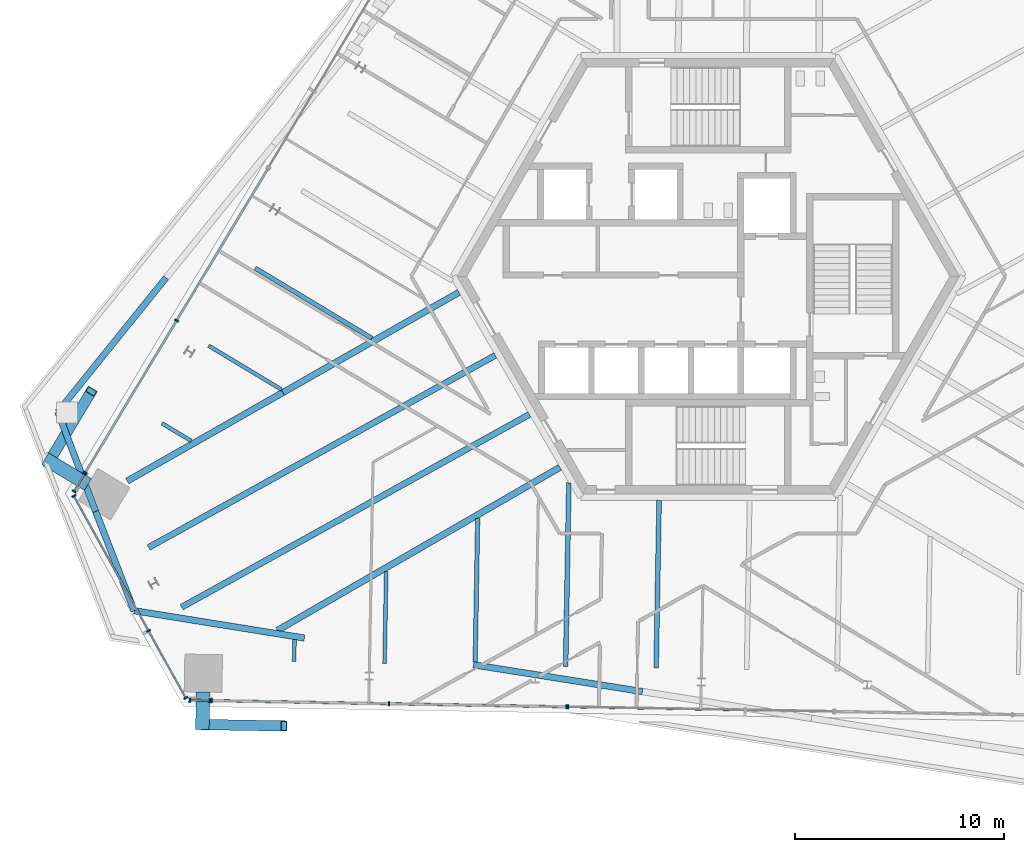
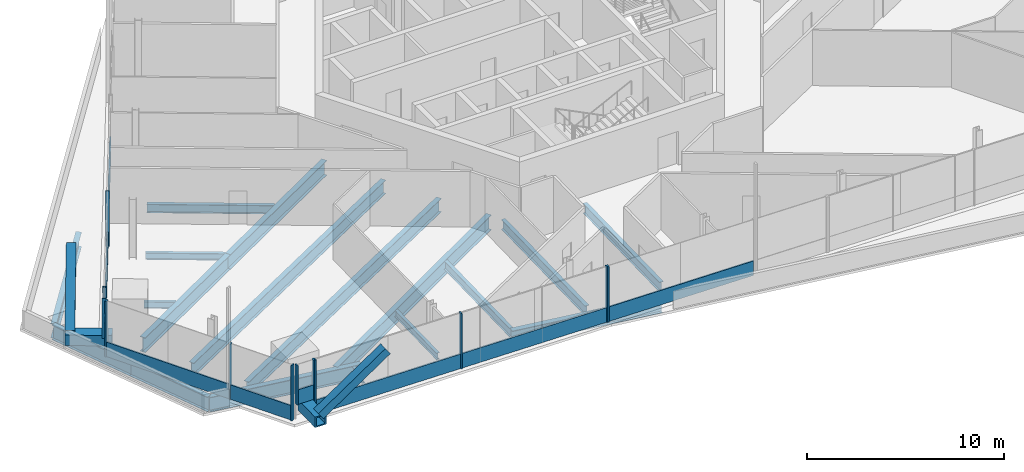
# One storey, part 4 of 22: 26 members, 18 beams, 6 elements without a shape of their own.
"""IFC4 building model written with IfcOpenShell, lengths in metres."""

from ifc_helpers import new_model, si_unit, direction, frame, origin, origin_2d, place, context, subcontext, project, spatial, rectangle, hollow_rectangle, i_section, extrude, source, transform, mapped, material, material_profile, profile_set, type_object, element, aggregate, save


model = new_model("IFC4")

# Units and contexts
model_context = context("Model", 3, precision=1e-05, world=origin(), true_north=direction((0.0, 1.0)))
body_context = subcontext(model_context, "Body", "Model", "MODEL_VIEW")
ifc_project = project(units=[si_unit("LENGTHUNIT", "METRE"), si_unit("AREAUNIT", "SQUARE_METRE"), si_unit("VOLUMEUNIT", "CUBIC_METRE"), si_unit("PLANEANGLEUNIT", "RADIAN"), si_unit("MASSUNIT", "GRAM", prefix="KILO")], contexts=[model_context])

# Site, building, storey
site_placement = place(None, origin())
site = spatial("IfcSite", under=ifc_project, at=site_placement, CompositionType="ELEMENT")
building_placement = place(site_placement, origin())
building = spatial("IfcBuilding", under=site, at=building_placement, Name="Triune Harvest Tower", CompositionType="ELEMENT")
storey_placement = place(building_placement, frame((0.0, 0.0, 179.89990234375)))
storey = spatial("IfcBuildingStorey", under=building, at=storey_placement, Name="L46", CompositionType="ELEMENT", Elevation=179.89990234375)

# Beams
ifc_material_1 = material(Name="Steel ASTM A992 Gr 50", Category="steel")
ifc_material_profile_1 = material_profile(ifc_material_1, i_section(OverallWidth=0.307373046875, OverallDepth=0.922119140625, WebThickness=0.018310546875, FlangeThickness=0.030029296875, at=origin_2d()), Name="W36x182")
ifc_profile_set_1 = profile_set([ifc_material_profile_1], Name="Steel ASTM A992 Gr 50")
beam_type_1 = type_object("IfcBeamType", Name="HG-2 Hip girder W36x182", PredefinedType="BEAM", material=ifc_profile_set_1)
beam_1_placement = place(storey_placement, frame((-27.748291015625, -9.776123046875, -0.620849609375), z_axis=(0.869274480898, 0.49432972484, 0.0), x_axis=(-0.49432972484, 0.869274480898, 0.0)))
element("IfcBeam", 1, at=beam_1_placement, inside=storey, type_object=beam_type_1, Name="beam/L46/HG5", PredefinedType="BEAM", context=body_context, shape_type="SweptSolid", body=[
    extrude(i_section(OverallWidth=0.307373046875, OverallDepth=0.922119140625, WebThickness=0.018310546875, FlangeThickness=0.030029296875, at=origin_2d()), origin(), (0.0, 0.0, 1.0), 8.550048828125),
])
beam_2_placement = place(storey_placement, frame((-20.580810546875, -16.915771484375, -0.620849609375), z_axis=(0.866022013583, 0.500005871955, 0.0), x_axis=(-0.500005871955, 0.866022013583, 0.0)))
element("IfcBeam", 2, at=beam_2_placement, inside=storey, type_object=beam_type_1, Name="beam/L46/HG7", PredefinedType="BEAM", context=body_context, shape_type="SweptSolid", body=[
    extrude(i_section(OverallWidth=0.307373046875, OverallDepth=0.922119140625, WebThickness=0.018310546875, FlangeThickness=0.030029296875, at=origin_2d()), origin(), (0.0, 0.0, 1.0), 15.584228515625),
])
ifc_material_2 = material(Name="Steel ASTM A992 Gr 50", Category="steel")
ifc_material_profile_2 = material_profile(ifc_material_2, i_section(OverallWidth=0.180908203125, OverallDepth=0.41650390625, WebThickness=0.010986328125, FlangeThickness=0.01806640625, at=origin_2d()), Name="W16x57")
ifc_profile_set_2 = profile_set([ifc_material_profile_2], Name="Steel ASTM A992 Gr 50")
beam_type_2 = type_object("IfcBeamType", Name="JT-1 Floor joist W16x57", PredefinedType="JOIST", material=ifc_profile_set_2)
beam_3_placement = place(storey_placement, frame((-19.781982421875, -18.407470703125, -0.3681640625), z_axis=(0.017402794614, 0.999848559903, 0.0), x_axis=(-0.999848559903, 0.017402794614, 0.0)))
element("IfcBeam", 3, at=beam_3_placement, inside=storey, type_object=beam_type_2, Name="beam/L46/JT25", PredefinedType="JOIST", context=body_context, shape_type="SweptSolid", body=[
    extrude(i_section(OverallWidth=0.180908203125, OverallDepth=0.41650390625, WebThickness=0.010986328125, FlangeThickness=0.01806640625, at=origin_2d()), origin(), (0.0, 0.0, 1.0), 1.05224609375),
])
ifc_material_3 = material(Name="Steel ASTM A992 Gr 50", Category="steel")
ifc_material_profile_3 = material_profile(ifc_material_3, i_section(OverallWidth=0.2099609375, OverallDepth=0.535888671875, WebThickness=0.010986328125, FlangeThickness=0.017333984375, at=origin_2d()), Name="W21x68")
ifc_profile_set_3 = profile_set([ifc_material_profile_3], Name="Steel ASTM A992 Gr 50")
beam_type_3 = type_object("IfcBeamType", Name="JT-2 Floor joist W21x68", PredefinedType="JOIST", material=ifc_profile_set_3)
beam_4_placement = place(storey_placement, frame((-21.639404296875, 0.39111328125, -0.427978515625), z_axis=(0.85716466507, -0.515042461314, 0.0), x_axis=(0.515042461314, 0.85716466507, 0.0)))
element("IfcBeam", 4, at=beam_4_placement, inside=storey, type_object=beam_type_3, Name="beam/L46/JT20", PredefinedType="JOIST", context=body_context, shape_type="SweptSolid", body=[
    extrude(i_section(OverallWidth=0.2099609375, OverallDepth=0.535888671875, WebThickness=0.010986328125, FlangeThickness=0.017333984375, at=origin_2d()), origin(), (0.0, 0.0, 1.0), 6.500244140625),
])
ifc_material_4 = material(Name="Steel ASTM A992 Gr 50", Category="steel")
ifc_material_profile_4 = material_profile(ifc_material_4, i_section(OverallWidth=0.22900390625, OverallDepth=0.612060546875, WebThickness=0.011962890625, FlangeThickness=0.01953125, at=origin_2d()), Name="W24x84")
ifc_profile_set_4 = profile_set([ifc_material_profile_4], Name="Steel ASTM A992 Gr 50")
beam_type_4 = type_object("IfcBeamType", Name="JT-3 Floor joist W24x84", PredefinedType="JOIST", material=ifc_profile_set_4)
beam_5_placement = place(storey_placement, frame((-6.812255859375, -18.6337890625, -0.466064453125), z_axis=(0.017473330265, 0.999847329711, 0.0), x_axis=(-0.999847329711, 0.017473330265, 0.0)))
element("IfcBeam", 5, at=beam_5_placement, inside=storey, type_object=beam_type_4, Name="beam/L46/JT28", PredefinedType="JOIST", context=body_context, shape_type="SweptSolid", body=[
    extrude(i_section(OverallWidth=0.22900390625, OverallDepth=0.612060546875, WebThickness=0.011962890625, FlangeThickness=0.01953125, at=origin_2d()), origin(), (0.0, 0.0, 1.0), 8.7744140625),
])
beam_6_placement = place(storey_placement, frame((-2.489013671875, -18.70947265625, -0.466064453125), z_axis=(0.017456738048, 0.999847619538, 0.0), x_axis=(-0.999847619538, 0.017456738048, 0.0)))
element("IfcBeam", 6, at=beam_6_placement, inside=storey, type_object=beam_type_4, Name="beam/L46/JT29", PredefinedType="JOIST", context=body_context, shape_type="SweptSolid", body=[
    extrude(i_section(OverallWidth=0.22900390625, OverallDepth=0.612060546875, WebThickness=0.011962890625, FlangeThickness=0.01953125, at=origin_2d()), origin(), (0.0, 0.0, 1.0), 8.013671875),
])
ifc_material_5 = material(Name="Steel ASTM A992 Gr 50", Category="steel")
ifc_material_profile_5 = material_profile(ifc_material_5, i_section(OverallWidth=0.3046875, OverallDepth=0.914306640625, WebThickness=0.0166015625, FlangeThickness=0.02587890625, at=origin_2d()), Name="W36x160")
ifc_profile_set_5 = profile_set([ifc_material_profile_5], Name="Steel ASTM A992 Gr 50")
beam_type_5 = type_object("IfcBeamType", Name="SB-1 Spandrel beam W36x160", PredefinedType="SPANDREL", material=ifc_profile_set_5)
shared_shape_1 = source(origin(), body_context, "Body", "SweptSolid", [
    extrude(i_section(OverallWidth=0.3046875, OverallDepth=0.914306640625, WebThickness=0.0166015625, FlangeThickness=0.02587890625, at=origin_2d()), origin(), (0.0, 0.0, 1.0), 8.235107421875),
])
for number, where, z_axis, x_axis, name in (
    (7, (-25.89599609375, -0.068359375, -0.6171875), (-0.627799387606, -0.778375185191, 0.0), (0.778375185191, -0.627799387606, 0.0), "beam/L46/WB12"),
    (8, (-27.42138671875, -15.972900390625, -0.6171875), (0.987379507505, -0.15837205612, 0.0), (0.15837205612, 0.987379507505, 0.0), "beam/L46/WB15"),
):
    element("IfcBeam", number, at=place(storey_placement, frame(where, z_axis=z_axis, x_axis=x_axis)), inside=storey, type_object=beam_type_5, Name=name, PredefinedType="SPANDREL", context=body_context, shape_type="MappedRepresentation", body=[
        mapped(shared_shape_1, transform((0.0, 0.0, 0.0), scale=1.0)),
    ])
shared_shape_2 = source(origin(), body_context, "Body", "SweptSolid", [
    extrude(i_section(OverallWidth=0.3046875, OverallDepth=0.914306640625, WebThickness=0.0166015625, FlangeThickness=0.02587890625, at=origin_2d()), origin(), (0.0, 0.0, 1.0), 8.1748046875),
])
beam_7_placement = place(storey_placement, frame((-11.2158203125, -18.555908203125, -0.6171875), z_axis=(0.987688756855, -0.156431836853, 0.0), x_axis=(0.156431836853, 0.987688756855, 0.0)))
element("IfcBeam", 9, at=beam_7_placement, inside=storey, type_object=beam_type_5, Name="beam/L46/WB16", PredefinedType="SPANDREL", context=body_context, shape_type="MappedRepresentation", body=[
    mapped(shared_shape_2, transform((0.0, 0.0, 0.0), scale=1.0)),
])
shared_shape_3 = source(origin(), body_context, "Body", "SweptSolid", [
    extrude(i_section(OverallWidth=0.3046875, OverallDepth=0.914306640625, WebThickness=0.0166015625, FlangeThickness=0.02587890625, at=origin_2d()), origin(), (0.0, 0.0, 1.0), 5.085205078125),
])
beam_8_placement = place(storey_placement, frame((-29.258544921875, -11.231201171875, -0.6171875), z_axis=(0.361278281311, -0.932458043803, 0.0), x_axis=(0.932458043803, 0.361278281311, 0.0)))
element("IfcBeam", 10, at=beam_8_placement, inside=storey, type_object=beam_type_5, Name="beam/L46/WB14", PredefinedType="SPANDREL", context=body_context, shape_type="MappedRepresentation", body=[
    mapped(shared_shape_3, transform((0.0, 0.0, 0.0), scale=1.0)),
])
shared_shape_4 = source(origin(), body_context, "Body", "SweptSolid", [
    extrude(i_section(OverallWidth=0.3046875, OverallDepth=0.914306640625, WebThickness=0.0166015625, FlangeThickness=0.02587890625, at=origin_2d()), origin(), (0.0, 0.0, 1.0), 5.0849609375),
])
beam_9_placement = place(storey_placement, frame((-31.06591796875, -6.478271484375, -0.6171875), z_axis=(0.355434233879, -0.934701292064, 0.0), x_axis=(0.934701292064, 0.355434233879, 0.0)))
element("IfcBeam", 11, at=beam_9_placement, inside=storey, type_object=beam_type_5, Name="beam/L46/WB13", PredefinedType="SPANDREL", context=body_context, shape_type="MappedRepresentation", body=[
    mapped(shared_shape_4, transform((0.0, 0.0, 0.0), scale=1.0)),
])
shared_shape_5 = source(origin(), body_context, "Body", "SweptSolid", [
    extrude(i_section(OverallWidth=0.307373046875, OverallDepth=0.922119140625, WebThickness=0.018310546875, FlangeThickness=0.030029296875, at=origin_2d()), origin(), (0.0, 0.0, 1.0), 9.672119140625),
])
beam_10_placement = place(storey_placement, frame((-20.31591796875, -5.549560546875, -0.620849609375), z_axis=(0.869255664029, 0.494362812673, 0.0), x_axis=(-0.494362812673, 0.869255664029, 0.0)))
element("IfcBeam", 12, at=beam_10_placement, inside=storey, type_object=beam_type_1, Name="beam/L46/HG6", PredefinedType="BEAM", context=body_context, shape_type="MappedRepresentation", body=[
    mapped(shared_shape_5, transform((0.0, 0.0, 0.0), scale=1.0)),
])
shared_shape_6 = source(origin(), body_context, "Body", "SweptSolid", [
    extrude(i_section(OverallWidth=0.2099609375, OverallDepth=0.535888671875, WebThickness=0.010986328125, FlangeThickness=0.017333984375, at=origin_2d()), origin(), (0.0, 0.0, 1.0), 6.84619140625),
])
beam_11_placement = place(storey_placement, frame((-11.1328125, -18.41455078125, -0.427978515625), z_axis=(0.017437964411, 0.999847947139, 0.0), x_axis=(-0.999847947139, 0.017437964411, 0.0)))
element("IfcBeam", 13, at=beam_11_placement, inside=storey, type_object=beam_type_3, Name="beam/L46/JT27", PredefinedType="JOIST", context=body_context, shape_type="MappedRepresentation", body=[
    mapped(shared_shape_6, transform((0.0, 0.0, 0.0), scale=1.0)),
])
shared_shape_7 = source(origin(), body_context, "Body", "SweptSolid", [
    extrude(i_section(OverallWidth=0.180908203125, OverallDepth=0.41650390625, WebThickness=0.010986328125, FlangeThickness=0.01806640625, at=origin_2d()), origin(), (0.0, 0.0, 1.0), 4.066162109375),
])
beam_12_placement = place(storey_placement, frame((-23.8662109375, -3.315185546875, -0.3681640625), z_axis=(0.857137776509, -0.515087208229, 0.0), x_axis=(0.515087208229, 0.857137776509, 0.0)))
element("IfcBeam", 14, at=beam_12_placement, inside=storey, type_object=beam_type_2, Name="beam/L46/JT21", PredefinedType="JOIST", context=body_context, shape_type="MappedRepresentation", body=[
    mapped(shared_shape_7, transform((0.0, 0.0, 0.0), scale=1.0)),
])
shared_shape_8 = source(origin(), body_context, "Body", "SweptSolid", [
    extrude(i_section(OverallWidth=0.180908203125, OverallDepth=0.41650390625, WebThickness=0.010986328125, FlangeThickness=0.01806640625, at=origin_2d()), origin(), (0.0, 0.0, 1.0), 1.63232421875),
])
beam_13_placement = place(storey_placement, frame((-26.09326171875, -7.021484375, -0.3681640625), z_axis=(0.857136412029, -0.515089478804, 0.0), x_axis=(0.515089478804, 0.857136412029, 0.0)))
element("IfcBeam", 15, at=beam_13_placement, inside=storey, type_object=beam_type_2, Name="beam/L46/JT22", PredefinedType="JOIST", context=body_context, shape_type="MappedRepresentation", body=[
    mapped(shared_shape_8, transform((0.0, 0.0, 0.0), scale=1.0)),
])
ifc_material_6 = material(Name="Steel ASTM A992 Gr 50", Category="steel")
ifc_material_profile_6 = material_profile(ifc_material_6, i_section(OverallWidth=0.2919921875, OverallDepth=0.8408203125, WebThickness=0.0146484375, FlangeThickness=0.021728515625, at=origin_2d()), Name="W33x130")
ifc_profile_set_6 = profile_set([ifc_material_profile_6], Name="Steel ASTM A992 Gr 50")
beam_type_6 = type_object("IfcBeamType", Name="JT-6 Floor joist W33x130", PredefinedType="JOIST", material=ifc_profile_set_6)
shared_shape_9 = source(origin(), body_context, "Body", "SweptSolid", [
    extrude(i_section(OverallWidth=0.2919921875, OverallDepth=0.8408203125, WebThickness=0.0146484375, FlangeThickness=0.021728515625, at=origin_2d()), origin(), (0.0, 0.0, 1.0), 18.930908203125),
])
beam_14_placement = place(storey_placement, frame((-26.7294921875, -12.953369140625, -0.580322265625), z_axis=(0.874617987664, 0.48481272225, 0.0), x_axis=(-0.48481272225, 0.874617987664, 0.0)))
element("IfcBeam", 16, at=beam_14_placement, inside=storey, type_object=beam_type_6, Name="beam/L46/JT23", PredefinedType="JOIST", context=body_context, shape_type="MappedRepresentation", body=[
    mapped(shared_shape_9, transform((0.0, 0.0, 0.0), scale=1.0)),
])
shared_shape_10 = source(origin(), body_context, "Body", "SweptSolid", [
    extrude(i_section(OverallWidth=0.2919921875, OverallDepth=0.8408203125, WebThickness=0.0146484375, FlangeThickness=0.021728515625, at=origin_2d()), origin(), (0.0, 0.0, 1.0), 18.98779296875),
])
beam_15_placement = place(storey_placement, frame((-25.1494140625, -15.8037109375, -0.580322265625), z_axis=(0.874615401626, 0.484817387517, 0.0), x_axis=(-0.484817387517, 0.874615401626, 0.0)))
element("IfcBeam", 17, at=beam_15_placement, inside=storey, type_object=beam_type_6, Name="beam/L46/JT24", PredefinedType="JOIST", context=body_context, shape_type="MappedRepresentation", body=[
    mapped(shared_shape_10, transform((0.0, 0.0, 0.0), scale=1.0)),
])
shared_shape_11 = source(origin(), body_context, "Body", "SweptSolid", [
    extrude(i_section(OverallWidth=0.180908203125, OverallDepth=0.41650390625, WebThickness=0.010986328125, FlangeThickness=0.01806640625, at=origin_2d()), origin(), (0.0, 0.0, 1.0), 4.391845703125),
])
beam_16_placement = place(storey_placement, frame((-15.458740234375, -18.48291015625, -0.3681640625), z_axis=(0.017455363064, 0.999847643544, 0.0), x_axis=(-0.999847643544, 0.017455363064, 0.0)))
element("IfcBeam", 18, at=beam_16_placement, inside=storey, type_object=beam_type_2, Name="beam/L46/JT26", PredefinedType="JOIST", context=body_context, shape_type="MappedRepresentation", body=[
    mapped(shared_shape_11, transform((0.0, 0.0, 0.0), scale=1.0)),
])

# Members
ifc_material_7 = material(Name="Steel ASTM A572 Gr 50", Category="steel")
ifc_material_profile_7 = material_profile(ifc_material_7, hollow_rectangle(XDim=0.64990234375, YDim=0.64990234375, WallThickness=0.070068359375, at=origin_2d()), Name="Box 650x650x70")
ifc_profile_set_7 = profile_set([ifc_material_profile_7], Name="Steel ASTM A572 Gr 50")
member_type_1 = type_object("IfcMemberType", Name="BS-1 Brace stub Box 650x650x70", PredefinedType="STRUT", material=ifc_profile_set_7)
shared_shape_12 = source(origin(), body_context, "Body", "SweptSolid", [
    extrude(hollow_rectangle(XDim=0.64990234375, YDim=0.64990234375, WallThickness=0.070068359375, at=origin_2d()), origin(), (0.0, 0.0, 1.0), 1.787109375),
])
member_1_placement = place(storey_placement, frame((-24.1318359375, -19.856689453125, 0.60009765625), z_axis=(-0.017486054069, -0.999847107268, 0.0), x_axis=(0.999847107268, -0.017486054069, 0.0)))
element("IfcMember", 19, at=member_1_placement, inside=storey, type_object=member_type_1, Name="brace/B5-F5/stub1", PredefinedType="STRUT", context=body_context, shape_type="MappedRepresentation", body=[
    mapped(shared_shape_12, transform((0.0, 0.0, 0.0), scale=1.0)),
])
ifc_material_8 = material(Name="Steel ASTM A572 Gr 50", Category="steel")
ifc_material_profile_8 = material_profile(ifc_material_8, hollow_rectangle(XDim=0.5, YDim=0.5, WallThickness=0.030029296875, at=origin_2d()), Name="Box 500x500x30")
ifc_profile_set_8 = profile_set([ifc_material_profile_8], Name="Steel ASTM A572 Gr 50")
member_type_2 = type_object("IfcMemberType", Name="BR-3 Brace Box 500x500x30", PredefinedType="BRACE", material=ifc_profile_set_8)
shared_shape_13 = source(origin(), body_context, "Body", "SweptSolid", [
    extrude(hollow_rectangle(XDim=0.5, YDim=0.5, WallThickness=0.030029296875, at=origin_2d()), origin(), (0.0, 0.0, 1.0), 4.74462890625),
])
for number, where, z_axis, x_axis, name in (
    (20, (-31.47216796875, -8.834228515625, 0.89013671875), (0.422758308536, 0.703602374746, 0.571155942642), (-0.857171952851, 0.515030332355, 0.0), "brace/B5-F3/d2/1"),
    (21, (-24.158935546875, -21.40869140625, 0.89013671875), (0.820716318027, -0.014304648051, 0.571156810665), (0.017426820271, 0.999848141437, 0.0), "brace/B5-F5/d1/1"),
):
    element("IfcMember", number, at=place(storey_placement, frame(where, z_axis=z_axis, x_axis=x_axis)), inside=storey, type_object=member_type_2, Name=name, PredefinedType="BRACE", context=body_context, shape_type="MappedRepresentation", body=[
        mapped(shared_shape_13, transform((0.0, 0.0, 0.0), scale=1.0)),
    ])
shared_shape_14 = source(origin(), body_context, "Body", "SweptSolid", [
    extrude(hollow_rectangle(XDim=0.64990234375, YDim=0.64990234375, WallThickness=0.070068359375, at=origin_2d()), origin(), (0.0, 0.0, 1.0), 2.38720703125),
])
member_2_placement = place(storey_placement, frame((-29.62744140625, -9.942626953125, 0.60009765625), z_axis=(-0.857158850431, 0.515052138262, 0.0), x_axis=(-0.515052138262, -0.857158850431, 0.0)))
element("IfcMember", 22, at=member_2_placement, inside=storey, type_object=member_type_1, Name="brace/B5-F3/stub3", PredefinedType="STRUT", context=body_context, shape_type="MappedRepresentation", body=[
    mapped(shared_shape_14, transform((0.0, 0.0, 0.0), scale=1.0)),
])

# Curtain wall, members
ifc_material_9 = material(Name="Aluminium bronze anodised", Category="aluminium")
curtain_wall_type_1 = type_object("IfcCurtainWallType", Name="CW-7 Tower stick curtain wall with insulated spandrel infill", PredefinedType="NOTDEFINED", material=ifc_material_9)
curtain_wall_1_placement = place(storey_placement, origin())
curtain_wall_1 = element("IfcCurtainWall", 23, at=curtain_wall_1_placement, inside=storey, type_object=curtain_wall_type_1, Name="CW-7 B5-F3 L46 run 2101")
ifc_material_10 = material(Name="Aluminium bronze anodised", Category="aluminium")
ifc_material_profile_9 = material_profile(ifc_material_10, rectangle(XDim=0.199951171875, YDim=0.074951171875, at=origin_2d()), Name="MU-1 mullion 75 x 200")
ifc_profile_set_9 = profile_set([ifc_material_profile_9], Name="Aluminium bronze anodised")
member_type_3 = type_object("IfcMemberType", Name="MU-1 mullion 75 x 200", PredefinedType="MULLION", material=ifc_profile_set_9)
shared_shape_15 = source(origin(), body_context, "Body", "SweptSolid", [
    extrude(rectangle(XDim=0.199951171875, YDim=0.074951171875, at=origin_2d()), origin(), (0.0, 0.0, 1.0), 3.440185546875),
])
member_3_placement = place(storey_placement, frame((-25.39208984375, -2.11279296875, 0.0), z_axis=(0.0, 0.0, 1.0), x_axis=(0.857169699895, -0.515034081961, 0.0)))
member_3 = element("IfcMember", 24, at=member_3_placement, type_object=member_type_3, Name="CW-7 mullion B5-F3 2101.3", PredefinedType="MULLION", context=body_context, shape_type="MappedRepresentation", body=[
    mapped(shared_shape_15, transform((0.0, 0.0, 0.0), scale=1.0)),
])
member_4_placement = place(storey_placement, frame((-29.754638671875, -9.373291015625, 0.0), z_axis=(0.0, 0.0, 1.0), x_axis=(0.857169699895, -0.515034081961, 0.0)))
member_4 = element("IfcMember", 25, at=member_4_placement, type_object=member_type_3, Name="CW-7 mullion B5-F3 2101.5", PredefinedType="MULLION", context=body_context, shape_type="MappedRepresentation", body=[
    mapped(shared_shape_15, transform((0.0, 0.0, 0.0), scale=1.0)),
])

ifc_material_11 = material(Name="Aluminium bronze anodised", Category="aluminium")
curtain_wall_type_2 = type_object("IfcCurtainWallType", Name="CW-1 Tower stick curtain wall", PredefinedType="NOTDEFINED", material=ifc_material_11)
curtain_wall_2_placement = place(storey_placement, origin())
curtain_wall_2 = element("IfcCurtainWall", 26, at=curtain_wall_2_placement, inside=storey, type_object=curtain_wall_type_2, Name="CW-1 B5-F4 L46 run 1")
member_5_placement = place(storey_placement, frame((-30.297607421875, -10.4912109375, 0.0), z_axis=(0.0, 0.0, 1.0), x_axis=(0.874623958582, 0.484801950362, 0.0)))
member_5 = element("IfcMember", 27, at=member_5_placement, type_object=member_type_3, Name="CW-1 mullion B5-F4 1.1", PredefinedType="MULLION", context=body_context, shape_type="MappedRepresentation", body=[
    mapped(shared_shape_15, transform((0.0, 0.0, 0.0), scale=1.0)),
])
member_6_placement = place(storey_placement, frame((-26.72802734375, -16.930908203125, 0.0), z_axis=(0.0, 0.0, 1.0), x_axis=(0.874623958582, 0.484801950362, 0.0)))
member_6 = element("IfcMember", 28, at=member_6_placement, type_object=member_type_3, Name="CW-1 mullion B5-F4 1.3", PredefinedType="MULLION", context=body_context, shape_type="MappedRepresentation", body=[
    mapped(shared_shape_15, transform((0.0, 0.0, 0.0), scale=1.0)),
])
member_7_placement = place(storey_placement, frame((-24.952392578125, -20.13427734375, 0.0), z_axis=(0.0, 0.0, 1.0), x_axis=(0.874623958582, 0.484801950362, 0.0)))
member_7 = element("IfcMember", 29, at=member_7_placement, type_object=member_type_3, Name="CW-1 mullion B5-F4 1.4", PredefinedType="MULLION", context=body_context, shape_type="MappedRepresentation", body=[
    mapped(shared_shape_15, transform((0.0, 0.0, 0.0), scale=1.0)),
])

curtain_wall_3_placement = place(storey_placement, origin())
curtain_wall_3 = element("IfcCurtainWall", 30, at=curtain_wall_3_placement, inside=storey, type_object=curtain_wall_type_1, Name="CW-7 B5-F5 L46 run 101")
member_8_placement = place(storey_placement, frame((-23.716552734375, -20.266357421875, 0.0), z_axis=(0.0, 0.0, 1.0), x_axis=(0.017454373979, 0.999847660811, 0.0)))
member_8 = element("IfcMember", 31, at=member_8_placement, type_object=member_type_3, Name="CW-7 mullion B5-F5 101.1", PredefinedType="MULLION", context=body_context, shape_type="MappedRepresentation", body=[
    mapped(shared_shape_15, transform((0.0, 0.0, 0.0), scale=1.0)),
])
member_9_placement = place(storey_placement, frame((-15.247314453125, -20.4140625, 0.0), z_axis=(0.0, 0.0, 1.0), x_axis=(0.017454373979, 0.999847660811, 0.0)))
member_9 = element("IfcMember", 32, at=member_9_placement, type_object=member_type_3, Name="CW-7 mullion B5-F5 101.3", PredefinedType="MULLION", context=body_context, shape_type="MappedRepresentation", body=[
    mapped(shared_shape_15, transform((0.0, 0.0, 0.0), scale=1.0)),
])
member_10_placement = place(storey_placement, frame((-6.7783203125, -20.56201171875, 0.0), z_axis=(0.0, 0.0, 1.0), x_axis=(0.017454373979, 0.999847660811, 0.0)))
member_10 = element("IfcMember", 33, at=member_10_placement, type_object=member_type_3, Name="CW-7 mullion B5-F5 101.5", PredefinedType="MULLION", context=body_context, shape_type="MappedRepresentation", body=[
    mapped(shared_shape_15, transform((0.0, 0.0, 0.0), scale=1.0)),
])

# Curtain wall, member
curtain_wall_4_placement = place(storey_placement, origin())
curtain_wall_4 = element("IfcCurtainWall", 34, at=curtain_wall_4_placement, inside=storey, type_object=curtain_wall_type_2, Name="CW-1 B5-F5 L46 run 1101")
member_11_placement = place(storey_placement, frame((-6.703369140625, -20.563232421875, 0.0), z_axis=(0.0, 0.0, 1.0), x_axis=(0.017450593962, 0.999847726792, 0.0)))
member_11 = element("IfcMember", 35, at=member_11_placement, type_object=member_type_3, Name="CW-1 mullion B5-F5 1101.1", PredefinedType="MULLION", context=body_context, shape_type="MappedRepresentation", body=[
    mapped(shared_shape_15, transform((0.0, 0.0, 0.0), scale=1.0)),
])

# Curtain wall, members
curtain_wall_5_placement = place(storey_placement, origin())
curtain_wall_5 = element("IfcCurtainWall", 36, at=curtain_wall_5_placement, inside=storey, type_object=curtain_wall_type_2, Name="CW-1 B5-F3 L46 run 201")
shared_shape_16 = source(origin(), body_context, "Body", "SweptSolid", [
    extrude(rectangle(XDim=0.199951171875, YDim=0.074951171875, at=origin_2d()), origin(), (0.0, 0.0, 1.0), 2.455078125),
])
member_12_placement = place(storey_placement, frame((-29.793212890625, -9.437744140625, 0.985107421875), z_axis=(0.0, 0.0, 1.0), x_axis=(0.857206165529, -0.514973387448, 0.0)))
member_12 = element("IfcMember", 37, at=member_12_placement, type_object=member_type_3, Name="CW-1 mullion B5-F3 201.1", PredefinedType="MULLION", context=body_context, shape_type="MappedRepresentation", body=[
    mapped(shared_shape_16, transform((0.0, 0.0, 0.0), scale=1.0)),
])
member_13_placement = place(storey_placement, frame((-30.293701171875, -10.2705078125, 0.985107421875), z_axis=(0.0, 0.0, 1.0), x_axis=(0.857206165529, -0.514973387448, 0.0)))
member_13 = element("IfcMember", 38, at=member_13_placement, type_object=member_type_3, Name="CW-1 mullion B5-F3 201.2", PredefinedType="MULLION", context=body_context, shape_type="MappedRepresentation", body=[
    mapped(shared_shape_16, transform((0.0, 0.0, 0.0), scale=1.0)),
])

curtain_wall_6_placement = place(storey_placement, origin())
curtain_wall_6 = element("IfcCurtainWall", 39, at=curtain_wall_6_placement, inside=storey, type_object=curtain_wall_type_2, Name="CW-1 B5-F5 L46 run 1")
member_14_placement = place(storey_placement, frame((-24.76318359375, -20.248046875, 0.985107421875), z_axis=(0.0, 0.0, 1.0), x_axis=(0.017387013935, 0.999848834448, 0.0)))
member_14 = element("IfcMember", 40, at=member_14_placement, type_object=member_type_3, Name="CW-1 mullion B5-F5 1.1", PredefinedType="MULLION", context=body_context, shape_type="MappedRepresentation", body=[
    mapped(shared_shape_16, transform((0.0, 0.0, 0.0), scale=1.0)),
])
member_15_placement = place(storey_placement, frame((-23.79150390625, -20.264892578125, 0.985107421875), z_axis=(0.0, 0.0, 1.0), x_axis=(0.017387013935, 0.999848834448, 0.0)))
member_15 = element("IfcMember", 41, at=member_15_placement, type_object=member_type_3, Name="CW-1 mullion B5-F5 1.2", PredefinedType="MULLION", context=body_context, shape_type="MappedRepresentation", body=[
    mapped(shared_shape_16, transform((0.0, 0.0, 0.0), scale=1.0)),
])

# Member
ifc_material_12 = material(Name="Aluminium bronze anodised", Category="aluminium")
ifc_material_profile_10 = material_profile(ifc_material_12, rectangle(XDim=0.090087890625, YDim=0.89990234375, at=origin_2d()), Name="TR-1 transom 90 x 900")
ifc_profile_set_10 = profile_set([ifc_material_profile_10], Name="Aluminium bronze anodised")
member_type_4 = type_object("IfcMemberType", Name="TR-1 transom 90 x 900", PredefinedType="USERDEFINED", material=ifc_profile_set_10)
shared_shape_17 = source(origin(), body_context, "Body", "SweptSolid", [
    extrude(rectangle(XDim=0.090087890625, YDim=0.89990234375, at=origin_2d()), origin(), (0.0, 0.0, 1.0), 8.395263671875),
])
member_16_placement = place(storey_placement, frame((-23.678955078125, -20.266845703125, 0.4501953125), z_axis=(0.999847766212, -0.017448335167, 0.0), x_axis=(0.017448335167, 0.999847766212, 0.0)))
member_16 = element("IfcMember", 42, at=member_16_placement, type_object=member_type_4, Name="CW-7 transom B5-F5 101.1", ObjectType="TRANSOM", PredefinedType="USERDEFINED", context=body_context, shape_type="MappedRepresentation", body=[
    mapped(shared_shape_17, transform((0.0, 0.0, 0.0), scale=1.0)),
])

member_17_placement = place(storey_placement, frame((-6.665771484375, -20.56396484375, 0.4501953125), z_axis=(0.999847766212, -0.017448335167, 0.0), x_axis=(0.017448335167, 0.999847766212, 0.0)))
member_17 = element("IfcMember", 43, at=member_17_placement, type_object=member_type_4, Name="CW-1 transom B5-F5 1101.1", ObjectType="TRANSOM", PredefinedType="USERDEFINED", context=body_context, shape_type="MappedRepresentation", body=[
    mapped(shared_shape_17, transform((0.0, 0.0, 0.0), scale=1.0)),
])

aggregate(curtain_wall_4, [member_11, member_17])

shared_shape_18 = source(origin(), body_context, "Body", "SweptSolid", [
    extrude(rectangle(XDim=0.090087890625, YDim=0.89990234375, at=origin_2d()), origin(), (0.0, 0.0, 1.0), 8.3955078125),
])
member_18_placement = place(storey_placement, frame((-21.048828125, 5.11572265625, 0.4501953125), z_axis=(-0.515038767038, -0.857166884829, 0.0), x_axis=(0.857166884829, -0.515038767038, 0.0)))
member_18 = element("IfcMember", 44, at=member_18_placement, type_object=member_type_4, Name="CW-7 transom B5-F3 2101.1", ObjectType="TRANSOM", PredefinedType="USERDEFINED", context=body_context, shape_type="MappedRepresentation", body=[
    mapped(shared_shape_18, transform((0.0, 0.0, 0.0), scale=1.0)),
])

member_19_placement = place(storey_placement, frame((-25.411376953125, -2.14501953125, 0.4501953125), z_axis=(-0.515038767038, -0.857166884829, 0.0), x_axis=(0.857166884829, -0.515038767038, 0.0)))
member_19 = element("IfcMember", 45, at=member_19_placement, type_object=member_type_4, Name="CW-7 transom B5-F3 2101.2", ObjectType="TRANSOM", PredefinedType="USERDEFINED", context=body_context, shape_type="MappedRepresentation", body=[
    mapped(shared_shape_18, transform((0.0, 0.0, 0.0), scale=1.0)),
])

aggregate(curtain_wall_1, [member_3, member_4, member_18, member_19])

member_20_placement = place(storey_placement, frame((-15.2099609375, -20.414794921875, 0.4501953125), z_axis=(0.999847775065, -0.017447827852, 0.0), x_axis=(0.017447827852, 0.999847775065, 0.0)))
member_20 = element("IfcMember", 46, at=member_20_placement, type_object=member_type_4, Name="CW-7 transom B5-F5 101.2", ObjectType="TRANSOM", PredefinedType="USERDEFINED", context=body_context, shape_type="MappedRepresentation", body=[
    mapped(shared_shape_18, transform((0.0, 0.0, 0.0), scale=1.0)),
])

aggregate(curtain_wall_3, [member_8, member_9, member_10, member_16, member_20])

shared_shape_19 = source(origin(), body_context, "Body", "SweptSolid", [
    extrude(rectangle(XDim=0.090087890625, YDim=0.89990234375, at=origin_2d()), origin(), (0.0, 0.0, 1.0), 0.896728515625),
])
member_21_placement = place(storey_placement, frame((-29.8125, -9.4697265625, 1.43505859375), z_axis=(-0.514816008217, -0.857300692688, 0.0), x_axis=(0.857300692688, -0.514816008217, 0.0)))
member_21 = element("IfcMember", 47, at=member_21_placement, type_object=member_type_4, Name="CW-1 transom B5-F3 201.1", ObjectType="TRANSOM", PredefinedType="USERDEFINED", context=body_context, shape_type="MappedRepresentation", body=[
    mapped(shared_shape_19, transform((0.0, 0.0, 0.0), scale=1.0)),
])

aggregate(curtain_wall_5, [member_12, member_13, member_21])

member_22_placement = place(storey_placement, frame((-24.7255859375, -20.248779296875, 1.43505859375), z_axis=(0.999848146196, -0.01742654721, 0.0), x_axis=(0.01742654721, 0.999848146196, 0.0)))
member_22 = element("IfcMember", 48, at=member_22_placement, type_object=member_type_4, Name="CW-1 transom B5-F5 1.1", ObjectType="TRANSOM", PredefinedType="USERDEFINED", context=body_context, shape_type="MappedRepresentation", body=[
    mapped(shared_shape_19, transform((0.0, 0.0, 0.0), scale=1.0)),
])

aggregate(curtain_wall_6, [member_14, member_15, member_22])

shared_shape_20 = source(origin(), body_context, "Body", "SweptSolid", [
    extrude(rectangle(XDim=0.090087890625, YDim=0.89990234375, at=origin_2d()), origin(), (0.0, 0.0, 1.0), 7.28759765625),
])
member_23_placement = place(storey_placement, frame((-30.279296875, -10.524169921875, 0.4501953125), z_axis=(0.484786537831, -0.874632501533, 0.0), x_axis=(0.874632501533, 0.484786537831, 0.0)))
member_23 = element("IfcMember", 49, at=member_23_placement, type_object=member_type_4, Name="CW-1 transom B5-F4 1.1", ObjectType="TRANSOM", PredefinedType="USERDEFINED", context=body_context, shape_type="MappedRepresentation", body=[
    mapped(shared_shape_20, transform((0.0, 0.0, 0.0), scale=1.0)),
])

shared_shape_21 = source(origin(), body_context, "Body", "SweptSolid", [
    extrude(rectangle(XDim=0.090087890625, YDim=0.89990234375, at=origin_2d()), origin(), (0.0, 0.0, 1.0), 3.587646484375),
])
member_24_placement = place(storey_placement, frame((-26.7099609375, -16.963623046875, 0.4501953125), z_axis=(0.484781810323, -0.874635121854, 0.0), x_axis=(0.874635121854, 0.484781810323, 0.0)))
member_24 = element("IfcMember", 50, at=member_24_placement, type_object=member_type_4, Name="CW-1 transom B5-F4 1.2", ObjectType="TRANSOM", PredefinedType="USERDEFINED", context=body_context, shape_type="MappedRepresentation", body=[
    mapped(shared_shape_21, transform((0.0, 0.0, 0.0), scale=1.0)),
])

aggregate(curtain_wall_2, [member_5, member_6, member_7, member_23, member_24])

save(model, "model.ifc")
